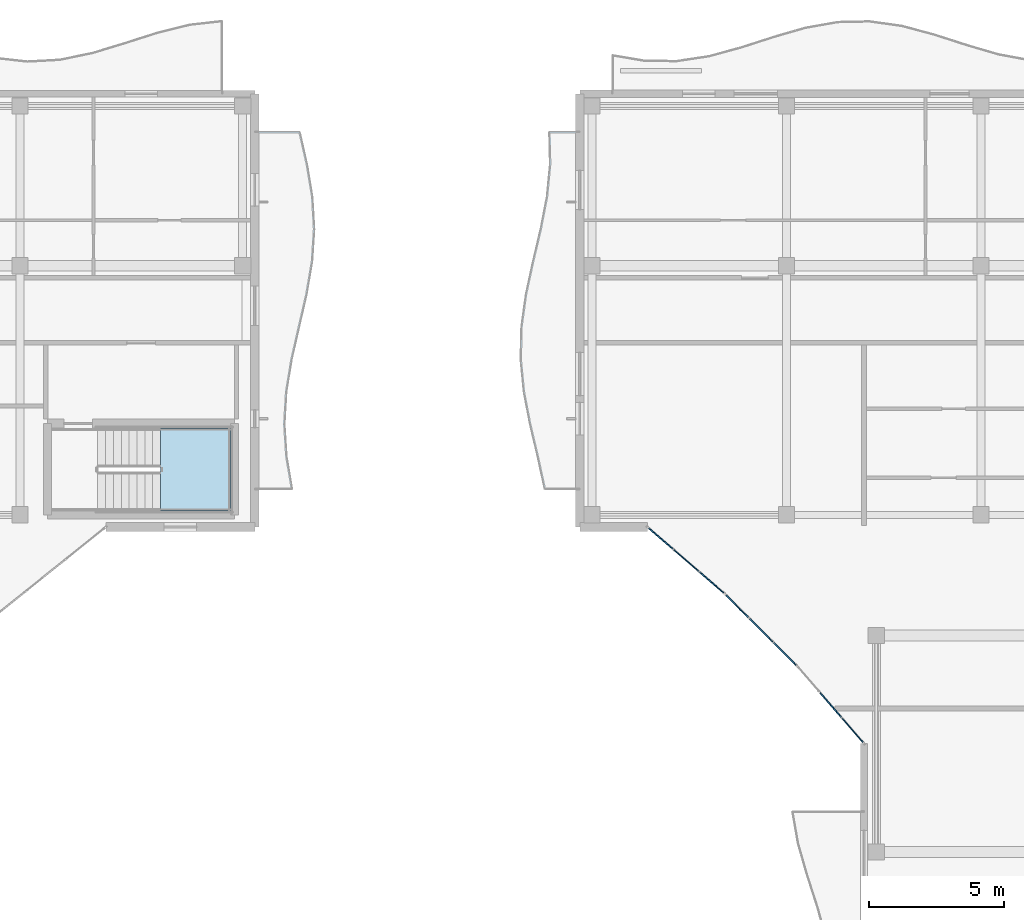
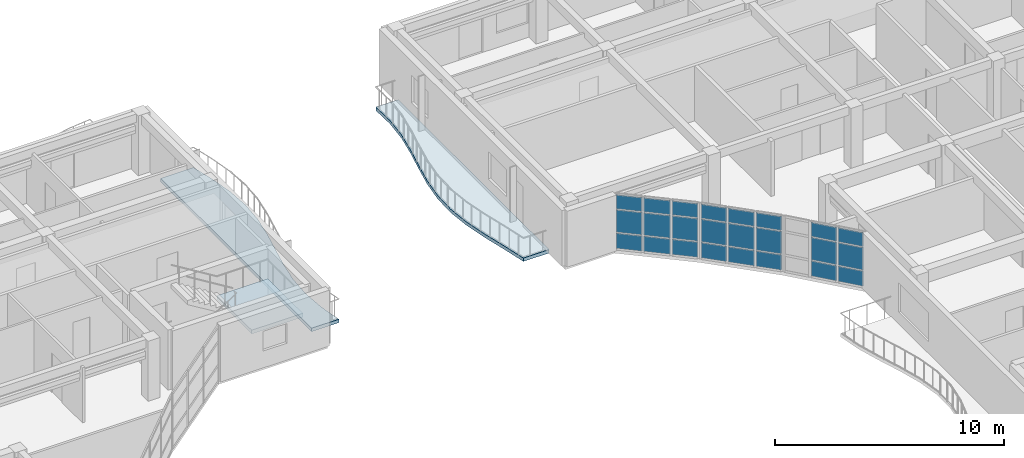
# One storey, part 27 of 76: 24 plates, 3 slabs, 4 elements without a shape of their own.
"""IFC4 building model written with IfcOpenShell, lengths in metres."""

from ifc_helpers import new_model, si_unit, direction, frame, origin, origin_2d, place, context, subcontext, project, spatial, polyline, rectangle, outline, extrude, material, layer, layer_set, type_object, element, aggregate, save


model = new_model("IFC4")

# Units and contexts
model_context = context("Model", 3, precision=1e-05, world=origin(), true_north=direction((0.0, 1.0)))
body_context = subcontext(model_context, "Body", "Model", "MODEL_VIEW")
ifc_project = project(units=[si_unit("LENGTHUNIT", "METRE"), si_unit("AREAUNIT", "SQUARE_METRE"), si_unit("VOLUMEUNIT", "CUBIC_METRE"), si_unit("PLANEANGLEUNIT", "RADIAN"), si_unit("MASSUNIT", "GRAM", prefix="KILO")], contexts=[model_context])

# Site, building, storey
site_placement = place(None, origin())
site = spatial("IfcSite", under=ifc_project, at=site_placement, CompositionType="ELEMENT")
building_placement = place(site_placement, origin())
building = spatial("IfcBuilding", under=site, at=building_placement, Name="Keldmere Railside Commons", CompositionType="ELEMENT")
storey_placement = place(building_placement, frame((0.0, 0.0, 13.760009765625)))
storey = spatial("IfcBuildingStorey", under=building, at=storey_placement, Name="L04", CompositionType="ELEMENT", Elevation=13.760009765625)

# Stair, slab
ifc_material_1 = material(Name="Concrete H-30 (C30/37)", Category="concrete")
stair_type = type_object("IfcStairType", Name="Residential Core Dogleg Stair 1450", PredefinedType="HALF_TURN_STAIR", material=ifc_material_1)
stair_placement = place(storey_placement, origin())
stair = element("IfcStair", 1, at=stair_placement, inside=storey, type_object=stair_type, Name="L04 Block C Secondary Escape Stair 2", PredefinedType="HALF_TURN_STAIR")
ifc_layer_1 = layer(ifc_material_1, 0.199951171875, Name="Enclosed Stair Landing Slab 200")
ifc_layer_set_1 = layer_set([ifc_layer_1], Name="Concrete H-30 (C30/37)")
slab_type_1 = type_object("IfcSlabType", Name="Enclosed Stair Landing Slab 200", PredefinedType="LANDING", material=ifc_layer_set_1)
slab_1_placement = place(storey_placement, frame((0.0, 0.0, 1.39990234375)))
slab_1 = element("IfcSlab", 2, at=slab_1_placement, type_object=slab_type_1, Name="ST-C2 landing 1", PredefinedType="LANDING", context=body_context, shape_type="SweptSolid", body=[
    extrude(outline(polyline([(78.02001953125, 100.60009765625), (80.60009765625, 100.60009765625), (80.60009765625, 103.64990234375), (78.02001953125, 103.64990234375), (78.02001953125, 100.60009765625)])), origin(), (0.0, 0.0, 1.0), 0.2001953125),
])
aggregate(stair, [slab_1])

# Curtain wall, plates
ifc_material_2 = material(Name="Thermally Broken Aluminium", Category="aluminium")
ifc_layer_2 = layer(ifc_material_2, 0.159912109375, Name="Court Chord Wintergarden CW 4800x2850")
ifc_layer_set_2 = layer_set([ifc_layer_2], Name="Thermally Broken Aluminium")
curtain_wall_type_1 = type_object("IfcCurtainWallType", Name="Court Chord Wintergarden CW 4800x2850", PredefinedType="NOTDEFINED", material=ifc_layer_set_2)
curtain_wall_1_placement = place(storey_placement, origin())
curtain_wall_1 = element("IfcCurtainWall", 3, at=curtain_wall_1_placement, inside=storey, type_object=curtain_wall_type_1, Name="CW-12 CW-L04-112", PredefinedType="NOTDEFINED")
ifc_material_3 = material(Name="Insulated Aluminium Spandrel Panel", Category="aluminium")
ifc_layer_3 = layer(ifc_material_3, 0.0439453125, Name="Insulated Ocher Spandrel Panel 44")
ifc_layer_set_3 = layer_set([ifc_layer_3], Name="Insulated Aluminium Spandrel Panel")
plate_type_1 = type_object("IfcPlateType", Name="Insulated Ocher Spandrel Panel 44", PredefinedType="CURTAIN_PANEL", material=ifc_layer_set_3)
plate_1_placement = place(storey_placement, frame((98.369384765625, 97.952392578125, 0.06494140625), z_axis=(0.0, 0.0, 1.0), x_axis=(-0.756596767584, 0.653881741053, 0.0)))
plate_1 = element("IfcPlate", 4, at=plate_1_placement, type_object=plate_type_1, Name="CW-12 panel 1.1", PredefinedType="CURTAIN_PANEL", context=body_context, shape_type="SweptSolid", body=[
    extrude(rectangle(XDim=1.16162109375, YDim=0.0439453125, at=origin_2d()), origin(), (0.0, 0.0, 1.0), 0.802490234375),
])
plate_2_placement = place(storey_placement, frame((98.369384765625, 97.952392578125, 0.932373046875), z_axis=(0.0, 0.0, 1.0), x_axis=(-0.756596767584, 0.653881741053, 0.0)))
plate_2 = element("IfcPlate", 5, at=plate_2_placement, type_object=plate_type_1, Name="CW-12 panel 1.2", PredefinedType="CURTAIN_PANEL", context=body_context, shape_type="SweptSolid", body=[
    extrude(rectangle(XDim=1.16162109375, YDim=0.0439453125, at=origin_2d()), origin(), (0.0, 0.0, 1.0), 1.18505859375),
])
plate_3_placement = place(storey_placement, frame((98.369384765625, 97.952392578125, 2.1826171875), z_axis=(0.0, 0.0, 1.0), x_axis=(-0.756596767584, 0.653881741053, 0.0)))
plate_3 = element("IfcPlate", 6, at=plate_3_placement, type_object=plate_type_1, Name="CW-12 panel 1.3", PredefinedType="CURTAIN_PANEL", context=body_context, shape_type="SweptSolid", body=[
    extrude(rectangle(XDim=1.16162109375, YDim=0.0439453125, at=origin_2d()), origin(), (0.0, 0.0, 1.0), 0.732421875),
])
plate_4_placement = place(storey_placement, frame((97.428955078125, 98.764892578125, 0.06494140625), z_axis=(0.0, 0.0, 1.0), x_axis=(-0.756596767584, 0.653881741053, 0.0)))
plate_4 = element("IfcPlate", 7, at=plate_4_placement, type_object=plate_type_1, Name="CW-12 panel 2.1", PredefinedType="CURTAIN_PANEL", context=body_context, shape_type="SweptSolid", body=[
    extrude(rectangle(XDim=1.194091796875, YDim=0.0439453125, at=origin_2d()), origin(), (0.0, 0.0, 1.0), 0.802490234375),
])
plate_5_placement = place(storey_placement, frame((97.428955078125, 98.764892578125, 0.932373046875), z_axis=(0.0, 0.0, 1.0), x_axis=(-0.756596767584, 0.653881741053, 0.0)))
plate_5 = element("IfcPlate", 8, at=plate_5_placement, type_object=plate_type_1, Name="CW-12 panel 2.2", PredefinedType="CURTAIN_PANEL", context=body_context, shape_type="SweptSolid", body=[
    extrude(rectangle(XDim=1.194091796875, YDim=0.0439453125, at=origin_2d()), origin(), (0.0, 0.0, 1.0), 1.18505859375),
])
plate_6_placement = place(storey_placement, frame((97.428955078125, 98.764892578125, 2.1826171875), z_axis=(0.0, 0.0, 1.0), x_axis=(-0.756596767584, 0.653881741053, 0.0)))
plate_6 = element("IfcPlate", 9, at=plate_6_placement, type_object=plate_type_1, Name="CW-12 panel 2.3", PredefinedType="CURTAIN_PANEL", context=body_context, shape_type="SweptSolid", body=[
    extrude(rectangle(XDim=1.194091796875, YDim=0.0439453125, at=origin_2d()), origin(), (0.0, 0.0, 1.0), 0.732421875),
])
plate_7_placement = place(storey_placement, frame((96.488525390625, 99.57763671875, 0.06494140625), z_axis=(0.0, 0.0, 1.0), x_axis=(-0.756596767584, 0.653881741053, 0.0)))
plate_7 = element("IfcPlate", 10, at=plate_7_placement, type_object=plate_type_1, Name="CW-12 panel 3.1", PredefinedType="CURTAIN_PANEL", context=body_context, shape_type="SweptSolid", body=[
    extrude(rectangle(XDim=1.16162109375, YDim=0.0439453125, at=origin_2d()), origin(), (0.0, 0.0, 1.0), 0.802490234375),
])
plate_8_placement = place(storey_placement, frame((96.488525390625, 99.57763671875, 0.932373046875), z_axis=(0.0, 0.0, 1.0), x_axis=(-0.756596767584, 0.653881741053, 0.0)))
plate_8 = element("IfcPlate", 11, at=plate_8_placement, type_object=plate_type_1, Name="CW-12 panel 3.2", PredefinedType="CURTAIN_PANEL", context=body_context, shape_type="SweptSolid", body=[
    extrude(rectangle(XDim=1.16162109375, YDim=0.0439453125, at=origin_2d()), origin(), (0.0, 0.0, 1.0), 1.18505859375),
])
plate_9_placement = place(storey_placement, frame((96.488525390625, 99.57763671875, 2.1826171875), z_axis=(0.0, 0.0, 1.0), x_axis=(-0.756596767584, 0.653881741053, 0.0)))
plate_9 = element("IfcPlate", 12, at=plate_9_placement, type_object=plate_type_1, Name="CW-12 panel 3.3", PredefinedType="CURTAIN_PANEL", context=body_context, shape_type="SweptSolid", body=[
    extrude(rectangle(XDim=1.16162109375, YDim=0.0439453125, at=origin_2d()), origin(), (0.0, 0.0, 1.0), 0.732421875),
])
aggregate(curtain_wall_1, [plate_1, plate_2, plate_3, plate_4, plate_5, plate_6, plate_7, plate_8, plate_9])

curtain_wall_2_placement = place(storey_placement, origin())
curtain_wall_2 = element("IfcCurtainWall", 13, at=curtain_wall_2_placement, inside=storey, type_object=curtain_wall_type_1, Name="CW-12 CW-L04-114", PredefinedType="NOTDEFINED")
plate_10_placement = place(storey_placement, frame((103.57763671875, 92.488525390625, 0.06494140625), z_axis=(0.0, 0.0, 1.0), x_axis=(-0.653881741053, 0.756596767584, 0.0)))
plate_10 = element("IfcPlate", 14, at=plate_10_placement, type_object=plate_type_1, Name="CW-12 panel 1.1", PredefinedType="CURTAIN_PANEL", context=body_context, shape_type="SweptSolid", body=[
    extrude(rectangle(XDim=1.16162109375, YDim=0.0439453125, at=origin_2d()), origin(), (0.0, 0.0, 1.0), 0.802490234375),
])
plate_11_placement = place(storey_placement, frame((103.57763671875, 92.488525390625, 0.932373046875), z_axis=(0.0, 0.0, 1.0), x_axis=(-0.653881741053, 0.756596767584, 0.0)))
plate_11 = element("IfcPlate", 15, at=plate_11_placement, type_object=plate_type_1, Name="CW-12 panel 1.2", PredefinedType="CURTAIN_PANEL", context=body_context, shape_type="SweptSolid", body=[
    extrude(rectangle(XDim=1.16162109375, YDim=0.0439453125, at=origin_2d()), origin(), (0.0, 0.0, 1.0), 1.18505859375),
])
plate_12_placement = place(storey_placement, frame((103.57763671875, 92.488525390625, 2.1826171875), z_axis=(0.0, 0.0, 1.0), x_axis=(-0.653881741053, 0.756596767584, 0.0)))
plate_12 = element("IfcPlate", 16, at=plate_12_placement, type_object=plate_type_1, Name="CW-12 panel 1.3", PredefinedType="CURTAIN_PANEL", context=body_context, shape_type="SweptSolid", body=[
    extrude(rectangle(XDim=1.16162109375, YDim=0.0439453125, at=origin_2d()), origin(), (0.0, 0.0, 1.0), 0.732421875),
])
plate_13_placement = place(storey_placement, frame((102.764892578125, 93.428955078125, 0.06494140625), z_axis=(0.0, 0.0, 1.0), x_axis=(-0.653881741053, 0.756596767584, 0.0)))
plate_13 = element("IfcPlate", 17, at=plate_13_placement, type_object=plate_type_1, Name="CW-12 panel 2.1", PredefinedType="CURTAIN_PANEL", context=body_context, shape_type="SweptSolid", body=[
    extrude(rectangle(XDim=1.194091796875, YDim=0.0439453125, at=origin_2d()), origin(), (0.0, 0.0, 1.0), 0.802490234375),
])
plate_14_placement = place(storey_placement, frame((102.764892578125, 93.428955078125, 0.932373046875), z_axis=(0.0, 0.0, 1.0), x_axis=(-0.653881741053, 0.756596767584, 0.0)))
plate_14 = element("IfcPlate", 18, at=plate_14_placement, type_object=plate_type_1, Name="CW-12 panel 2.2", PredefinedType="CURTAIN_PANEL", context=body_context, shape_type="SweptSolid", body=[
    extrude(rectangle(XDim=1.194091796875, YDim=0.0439453125, at=origin_2d()), origin(), (0.0, 0.0, 1.0), 1.18505859375),
])
plate_15_placement = place(storey_placement, frame((102.764892578125, 93.428955078125, 2.1826171875), z_axis=(0.0, 0.0, 1.0), x_axis=(-0.653881741053, 0.756596767584, 0.0)))
plate_15 = element("IfcPlate", 19, at=plate_15_placement, type_object=plate_type_1, Name="CW-12 panel 2.3", PredefinedType="CURTAIN_PANEL", context=body_context, shape_type="SweptSolid", body=[
    extrude(rectangle(XDim=1.194091796875, YDim=0.0439453125, at=origin_2d()), origin(), (0.0, 0.0, 1.0), 0.732421875),
])
aggregate(curtain_wall_2, [plate_10, plate_11, plate_12, plate_13, plate_14, plate_15])

ifc_layer_4 = layer(ifc_material_2, 0.159912109375, Name="Court Chord Wintergarden CW 5400x2850")
ifc_layer_set_4 = layer_set([ifc_layer_4], Name="Thermally Broken Aluminium")
curtain_wall_type_2 = type_object("IfcCurtainWallType", Name="Court Chord Wintergarden CW 5400x2850", PredefinedType="NOTDEFINED", material=ifc_layer_set_4)
curtain_wall_3_placement = place(storey_placement, origin())
curtain_wall_3 = element("IfcCurtainWall", 20, at=curtain_wall_3_placement, inside=storey, type_object=curtain_wall_type_2, Name="CW-13 CW-L04-113", PredefinedType="NOTDEFINED")
ifc_layer_5 = layer(ifc_material_3, 0.050048828125, Name="Insulated Terracotta Spandrel Panel 50")
ifc_layer_set_5 = layer_set([ifc_layer_5], Name="Insulated Aluminium Spandrel Panel")
plate_type_2 = type_object("IfcPlateType", Name="Insulated Terracotta Spandrel Panel 50", PredefinedType="CURTAIN_PANEL", material=ifc_layer_set_5)
plate_16_placement = place(storey_placement, frame((101.0732421875, 95.31494140625, 0.06494140625), z_axis=(0.0, 0.0, 1.0), x_axis=(-0.707106781187, 0.707106781187, 0.0)))
plate_16 = element("IfcPlate", 21, at=plate_16_placement, type_object=plate_type_2, Name="CW-13 panel 1.1", PredefinedType="CURTAIN_PANEL", context=body_context, shape_type="SweptSolid", body=[
    extrude(rectangle(XDim=1.162109375, YDim=0.050048828125, at=origin_2d()), origin(), (0.0, 0.0, 1.0), 0.802490234375),
])
plate_17_placement = place(storey_placement, frame((101.0732421875, 95.31494140625, 0.932373046875), z_axis=(0.0, 0.0, 1.0), x_axis=(-0.707106781187, 0.707106781187, 0.0)))
plate_17 = element("IfcPlate", 22, at=plate_17_placement, type_object=plate_type_2, Name="CW-13 panel 1.2", PredefinedType="CURTAIN_PANEL", context=body_context, shape_type="SweptSolid", body=[
    extrude(rectangle(XDim=1.162109375, YDim=0.050048828125, at=origin_2d()), origin(), (0.0, 0.0, 1.0), 1.18505859375),
])
plate_18_placement = place(storey_placement, frame((101.0732421875, 95.31494140625, 2.1826171875), z_axis=(0.0, 0.0, 1.0), x_axis=(-0.707106781187, 0.707106781187, 0.0)))
plate_18 = element("IfcPlate", 23, at=plate_18_placement, type_object=plate_type_2, Name="CW-13 panel 1.3", PredefinedType="CURTAIN_PANEL", context=body_context, shape_type="SweptSolid", body=[
    extrude(rectangle(XDim=1.162109375, YDim=0.050048828125, at=origin_2d()), origin(), (0.0, 0.0, 1.0), 0.732421875),
])
plate_19_placement = place(storey_placement, frame((100.194091796875, 96.194091796875, 0.06494140625), z_axis=(0.0, 0.0, 1.0), x_axis=(-0.707106781187, 0.707106781187, 0.0)))
plate_19 = element("IfcPlate", 24, at=plate_19_placement, type_object=plate_type_2, Name="CW-13 panel 2.1", PredefinedType="CURTAIN_PANEL", context=body_context, shape_type="SweptSolid", body=[
    extrude(rectangle(XDim=1.194580078125, YDim=0.050048828125, at=origin_2d()), origin(), (0.0, 0.0, 1.0), 0.802490234375),
])
plate_20_placement = place(storey_placement, frame((100.194091796875, 96.194091796875, 0.932373046875), z_axis=(0.0, 0.0, 1.0), x_axis=(-0.707106781187, 0.707106781187, 0.0)))
plate_20 = element("IfcPlate", 25, at=plate_20_placement, type_object=plate_type_2, Name="CW-13 panel 2.2", PredefinedType="CURTAIN_PANEL", context=body_context, shape_type="SweptSolid", body=[
    extrude(rectangle(XDim=1.194580078125, YDim=0.050048828125, at=origin_2d()), origin(), (0.0, 0.0, 1.0), 1.18505859375),
])
plate_21_placement = place(storey_placement, frame((100.194091796875, 96.194091796875, 2.1826171875), z_axis=(0.0, 0.0, 1.0), x_axis=(-0.707106781187, 0.707106781187, 0.0)))
plate_21 = element("IfcPlate", 26, at=plate_21_placement, type_object=plate_type_2, Name="CW-13 panel 2.3", PredefinedType="CURTAIN_PANEL", context=body_context, shape_type="SweptSolid", body=[
    extrude(rectangle(XDim=1.194580078125, YDim=0.050048828125, at=origin_2d()), origin(), (0.0, 0.0, 1.0), 0.732421875),
])
plate_22_placement = place(storey_placement, frame((99.31494140625, 97.0732421875, 0.06494140625), z_axis=(0.0, 0.0, 1.0), x_axis=(-0.707106781187, 0.707106781187, 0.0)))
plate_22 = element("IfcPlate", 27, at=plate_22_placement, type_object=plate_type_2, Name="CW-13 panel 3.1", PredefinedType="CURTAIN_PANEL", context=body_context, shape_type="SweptSolid", body=[
    extrude(rectangle(XDim=1.162109375, YDim=0.050048828125, at=origin_2d()), origin(), (0.0, 0.0, 1.0), 0.802490234375),
])
plate_23_placement = place(storey_placement, frame((99.31494140625, 97.0732421875, 0.932373046875), z_axis=(0.0, 0.0, 1.0), x_axis=(-0.707106781187, 0.707106781187, 0.0)))
plate_23 = element("IfcPlate", 28, at=plate_23_placement, type_object=plate_type_2, Name="CW-13 panel 3.2", PredefinedType="CURTAIN_PANEL", context=body_context, shape_type="SweptSolid", body=[
    extrude(rectangle(XDim=1.162109375, YDim=0.050048828125, at=origin_2d()), origin(), (0.0, 0.0, 1.0), 1.18505859375),
])
plate_24_placement = place(storey_placement, frame((99.31494140625, 97.0732421875, 2.1826171875), z_axis=(0.0, 0.0, 1.0), x_axis=(-0.707106781187, 0.707106781187, 0.0)))
plate_24 = element("IfcPlate", 29, at=plate_24_placement, type_object=plate_type_2, Name="CW-13 panel 3.3", PredefinedType="CURTAIN_PANEL", context=body_context, shape_type="SweptSolid", body=[
    extrude(rectangle(XDim=1.162109375, YDim=0.050048828125, at=origin_2d()), origin(), (0.0, 0.0, 1.0), 0.732421875),
])
aggregate(curtain_wall_3, [plate_16, plate_17, plate_18, plate_19, plate_20, plate_21, plate_22, plate_23, plate_24])

# Slabs
ifc_material_4 = material(Name="White Precast Concrete H-35 (C35/45)", Category="concrete")
ifc_layer_6 = layer(ifc_material_4, 0.179931640625, Name="Sinusoidal Wave Balcony Slab 180")
ifc_layer_set_6 = layer_set([ifc_layer_6], Name="White Precast Concrete H-35 (C35/45)")
slab_type_2 = type_object("IfcSlabType", Name="Sinusoidal Wave Balcony Slab 180", PredefinedType="FLOOR", material=ifc_layer_set_6)
slab_2_placement = place(storey_placement, frame((0.0, 0.0, -0.179931640625)))
element("IfcSlab", 30, at=slab_2_placement, inside=storey, type_object=slab_type_2, Name="WB-1 C L04 WE Wave Balcony", PredefinedType="FLOOR", context=body_context, shape_type="SweptSolid", body=[
    extrude(outline(polyline([(82.88232421875, 101.39990234375), (82.677978515625, 102.60009765625), (82.60009765625, 103.800048828125), (82.669677734375, 105.0), (82.867919921875, 106.199951171875), (83.1416015625, 107.39990234375), (83.417724609375, 108.60009765625), (83.6220703125, 109.800048828125), (83.699951171875, 111.0), (83.63037109375, 112.199951171875), (83.43212890625, 113.39990234375), (83.158447265625, 114.60009765625), (81.5, 114.60009765625), (81.5, 113.39990234375), (81.5, 112.199951171875), (81.5, 111.0), (81.5, 109.800048828125), (81.5, 108.60009765625), (81.5, 107.39990234375), (81.5, 106.199951171875), (81.5, 105.0), (81.5, 103.800048828125), (81.5, 102.60009765625), (81.5, 101.39990234375), (82.88232421875, 101.39990234375)])), origin(), (0.0, 0.0, 1.0), 0.179931640625),
])
slab_3_placement = place(storey_placement, frame((0.0, 0.0, -0.179931640625)))
element("IfcSlab", 31, at=slab_3_placement, inside=storey, type_object=slab_type_2, Name="WB-1 B L04 WW Wave Balcony", PredefinedType="FLOOR", context=body_context, shape_type="SweptSolid", body=[
    extrude(outline(polyline([(93.5, 101.39990234375), (93.5, 102.60009765625), (93.5, 103.800048828125), (93.5, 105.0), (93.5, 106.199951171875), (93.5, 107.39990234375), (93.5, 108.60009765625), (93.5, 109.800048828125), (93.5, 111.0), (93.5, 112.199951171875), (93.5, 113.39990234375), (93.5, 114.60009765625), (92.364013671875, 114.60009765625), (92.39306640625, 113.39990234375), (92.276611328125, 112.199951171875), (92.0458984375, 111.0), (91.7626953125, 109.800048828125), (91.502685546875, 108.60009765625), (91.3359375, 107.39990234375), (91.306884765625, 106.199951171875), (91.42333984375, 105.0), (91.654296875, 103.800048828125), (91.9375, 102.60009765625), (92.197265625, 101.39990234375), (93.5, 101.39990234375)])), origin(), (0.0, 0.0, 1.0), 0.179931640625),
])

save(model, "model.ifc")
